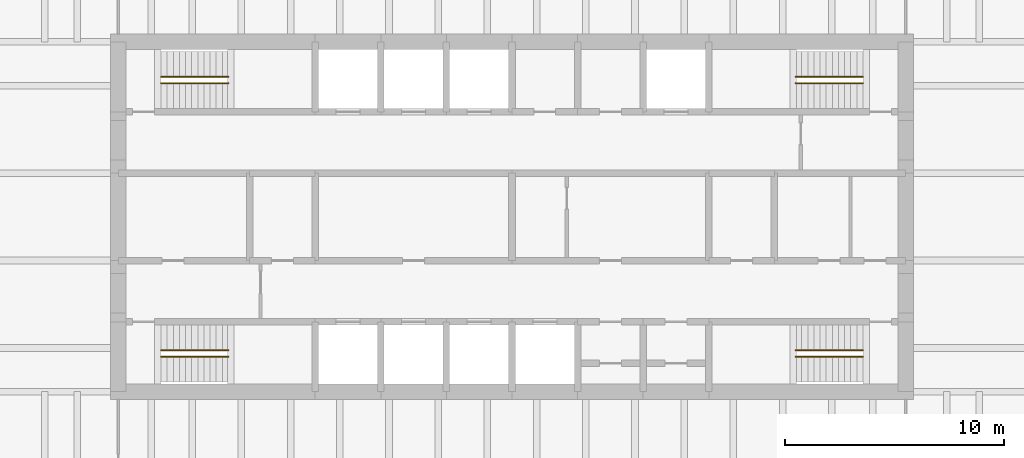
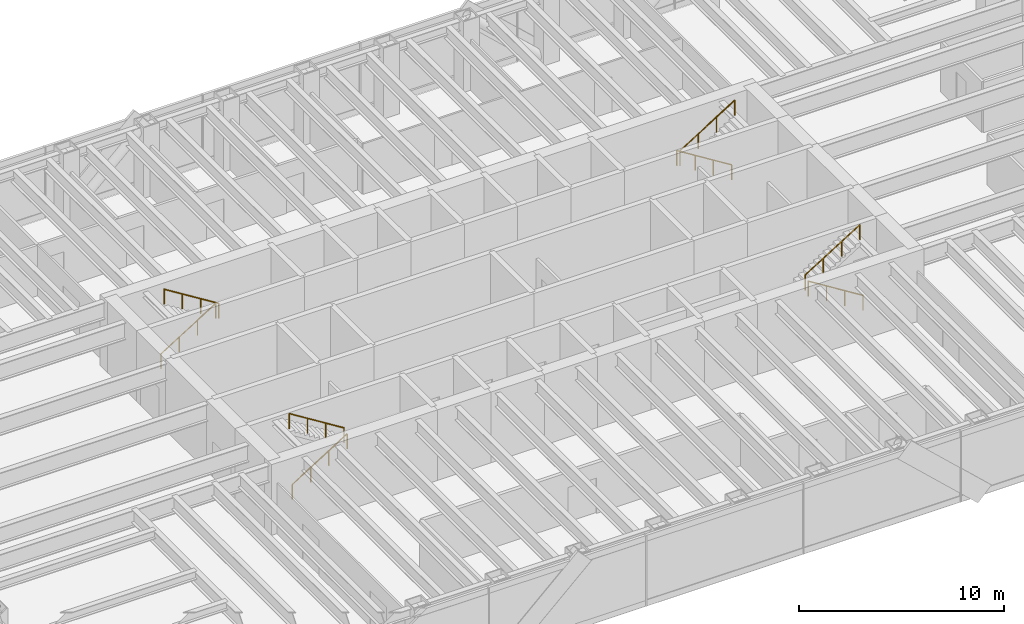
# One storey, part 17 of 17: 8 railings.
"""IFC4 building model written with IfcOpenShell, lengths in metres."""

from ifc_helpers import new_model, si_unit, direction, frame, origin, origin_2d, place, context, subcontext, project, spatial, circle, extrude, material, type_object, element, save


model = new_model("IFC4")

# Units and contexts
model_context = context("Model", 3, precision=1e-05, world=origin(), true_north=direction((0.0, 1.0)))
body_context = subcontext(model_context, "Body", "Model", "MODEL_VIEW")
ifc_project = project(units=[si_unit("LENGTHUNIT", "METRE"), si_unit("AREAUNIT", "SQUARE_METRE"), si_unit("VOLUMEUNIT", "CUBIC_METRE"), si_unit("PLANEANGLEUNIT", "RADIAN"), si_unit("MASSUNIT", "GRAM", prefix="KILO")], contexts=[model_context])

# Site, building, storey
site_placement = place(None, origin())
site = spatial("IfcSite", under=ifc_project, at=site_placement, CompositionType="ELEMENT")
building_placement = place(site_placement, origin())
building = spatial("IfcBuilding", under=site, at=building_placement, Name="Rheinbord Bourse Tower", CompositionType="ELEMENT")
storey_placement = place(building_placement, frame((0.0, 0.0, 321.5)))
storey = spatial("IfcBuildingStorey", under=building, at=storey_placement, Name="L73", CompositionType="ELEMENT", Elevation=321.5)

# Railings
ifc_material = material(Name="Steel handrail", Category="steel")
railing_type = type_object("IfcRailingType", Name="HANDRAIL 900", PredefinedType="HANDRAIL", material=ifc_material)
railing_1_placement = place(storey_placement, frame((19.949951171875, 17.60009765625, 0.175048828125)))
element("IfcRailing", 1, at=railing_1_placement, inside=storey, type_object=railing_type, Name="Handrail", PredefinedType="HANDRAIL", context=body_context, shape_type="SweptSolid", body=[
    extrude(circle(Radius=0.02392578125, at=origin_2d()), frame((0.0, 0.0, 0.8759765625), z_axis=(0.847998304005, 0.0, 0.529998940003), x_axis=(0.0, 1.0, 0.0)), (0.0, 0.0, 1.0), 3.632080078125),
    extrude(circle(Radius=0.02099609375, at=origin_2d()), origin(), (0.0, 0.0, 1.0), 0.851806640625),
    extrude(circle(Radius=0.02099609375, at=origin_2d()), frame((1.026611328125, 0.0, 0.6416015625)), (0.0, 0.0, 1.0), 0.851806640625),
    extrude(circle(Radius=0.02099609375, at=origin_2d()), frame((2.053466796875, 0.0, 1.283447265625)), (0.0, 0.0, 1.0), 0.851806640625),
    extrude(circle(Radius=0.02099609375, at=origin_2d()), frame((3.080078125, 0.0, 1.925048828125)), (0.0, 0.0, 1.0), 0.851806640625),
])
railing_2_placement = place(storey_placement, frame((23.030029296875, 17.89990234375, 2.27490234375)))
element("IfcRailing", 2, at=railing_2_placement, inside=storey, type_object=railing_type, Name="Handrail", PredefinedType="HANDRAIL", context=body_context, shape_type="SweptSolid", body=[
    extrude(circle(Radius=0.02392578125, at=origin_2d()), frame((0.0, 0.0, 0.8759765625), z_axis=(-0.847998304005, 0.0, 0.529998940003), x_axis=(0.0, -1.0, 0.0)), (0.0, 0.0, 1.0), 3.632080078125),
    extrude(circle(Radius=0.02099609375, at=origin_2d()), origin(), (0.0, 0.0, 1.0), 0.851806640625),
    extrude(circle(Radius=0.02099609375, at=origin_2d()), frame((-1.026611328125, 0.0, 0.6416015625)), (0.0, 0.0, 1.0), 0.851806640625),
    extrude(circle(Radius=0.02099609375, at=origin_2d()), frame((-2.053466796875, 0.0, 1.283447265625)), (0.0, 0.0, 1.0), 0.851806640625),
    extrude(circle(Radius=0.02099609375, at=origin_2d()), frame((-3.080078125, 0.0, 1.925048828125)), (0.0, 0.0, 1.0), 0.851806640625),
])
railing_3_placement = place(storey_placement, frame((19.949951171875, 30.39990234375, 0.175048828125)))
element("IfcRailing", 3, at=railing_3_placement, inside=storey, type_object=railing_type, Name="Handrail", PredefinedType="HANDRAIL", context=body_context, shape_type="SweptSolid", body=[
    extrude(circle(Radius=0.02392578125, at=origin_2d()), frame((0.0, 0.0, 0.8759765625), z_axis=(0.847998304005, 0.0, 0.529998940003), x_axis=(0.0, 1.0, 0.0)), (0.0, 0.0, 1.0), 3.632080078125),
    extrude(circle(Radius=0.02099609375, at=origin_2d()), origin(), (0.0, 0.0, 1.0), 0.851806640625),
    extrude(circle(Radius=0.02099609375, at=origin_2d()), frame((1.026611328125, 0.0, 0.6416015625)), (0.0, 0.0, 1.0), 0.851806640625),
    extrude(circle(Radius=0.02099609375, at=origin_2d()), frame((2.053466796875, 0.0, 1.283447265625)), (0.0, 0.0, 1.0), 0.851806640625),
    extrude(circle(Radius=0.02099609375, at=origin_2d()), frame((3.080078125, 0.0, 1.925048828125)), (0.0, 0.0, 1.0), 0.851806640625),
])
for number, where, name in (
    (4, (23.030029296875, 30.10009765625, 2.27490234375), "Handrail"),
    (5, (52.050048828125, 17.60009765625, 0.175048828125), "Handrail"),
):
    element("IfcRailing", number, at=place(storey_placement, frame(where)), inside=storey, type_object=railing_type, Name=name, PredefinedType="HANDRAIL", context=body_context, shape_type="SweptSolid", body=[
        extrude(circle(Radius=0.02392578125, at=origin_2d()), frame((0.0, 0.0, 0.8759765625), z_axis=(-0.847998304005, 0.0, 0.529998940003), x_axis=(0.0, -1.0, 0.0)), (0.0, 0.0, 1.0), 3.632080078125),
        extrude(circle(Radius=0.02099609375, at=origin_2d()), origin(), (0.0, 0.0, 1.0), 0.851806640625),
        extrude(circle(Radius=0.02099609375, at=origin_2d()), frame((-1.026611328125, 0.0, 0.6416015625)), (0.0, 0.0, 1.0), 0.851806640625),
        extrude(circle(Radius=0.02099609375, at=origin_2d()), frame((-2.053466796875, 0.0, 1.283447265625)), (0.0, 0.0, 1.0), 0.851806640625),
        extrude(circle(Radius=0.02099609375, at=origin_2d()), frame((-3.080078125, 0.0, 1.925048828125)), (0.0, 0.0, 1.0), 0.851806640625),
    ])
railing_4_placement = place(storey_placement, frame((48.969970703125, 17.89990234375, 2.27490234375)))
element("IfcRailing", 6, at=railing_4_placement, inside=storey, type_object=railing_type, Name="Handrail", PredefinedType="HANDRAIL", context=body_context, shape_type="SweptSolid", body=[
    extrude(circle(Radius=0.02392578125, at=origin_2d()), frame((0.0, 0.0, 0.8759765625), z_axis=(0.847998304005, 0.0, 0.529998940003), x_axis=(0.0, 1.0, 0.0)), (0.0, 0.0, 1.0), 3.632080078125),
    extrude(circle(Radius=0.02099609375, at=origin_2d()), origin(), (0.0, 0.0, 1.0), 0.851806640625),
    extrude(circle(Radius=0.02099609375, at=origin_2d()), frame((1.026611328125, 0.0, 0.6416015625)), (0.0, 0.0, 1.0), 0.851806640625),
    extrude(circle(Radius=0.02099609375, at=origin_2d()), frame((2.053466796875, 0.0, 1.283447265625)), (0.0, 0.0, 1.0), 0.851806640625),
    extrude(circle(Radius=0.02099609375, at=origin_2d()), frame((3.080078125, 0.0, 1.925048828125)), (0.0, 0.0, 1.0), 0.851806640625),
])
railing_5_placement = place(storey_placement, frame((52.050048828125, 30.39990234375, 0.175048828125)))
element("IfcRailing", 7, at=railing_5_placement, inside=storey, type_object=railing_type, Name="Handrail", PredefinedType="HANDRAIL", context=body_context, shape_type="SweptSolid", body=[
    extrude(circle(Radius=0.02392578125, at=origin_2d()), frame((0.0, 0.0, 0.8759765625), z_axis=(-0.847998304005, 0.0, 0.529998940003), x_axis=(0.0, -1.0, 0.0)), (0.0, 0.0, 1.0), 3.632080078125),
    extrude(circle(Radius=0.02099609375, at=origin_2d()), origin(), (0.0, 0.0, 1.0), 0.851806640625),
    extrude(circle(Radius=0.02099609375, at=origin_2d()), frame((-1.026611328125, 0.0, 0.6416015625)), (0.0, 0.0, 1.0), 0.851806640625),
    extrude(circle(Radius=0.02099609375, at=origin_2d()), frame((-2.053466796875, 0.0, 1.283447265625)), (0.0, 0.0, 1.0), 0.851806640625),
    extrude(circle(Radius=0.02099609375, at=origin_2d()), frame((-3.080078125, 0.0, 1.925048828125)), (0.0, 0.0, 1.0), 0.851806640625),
])
railing_6_placement = place(storey_placement, frame((48.969970703125, 30.10009765625, 2.27490234375)))
element("IfcRailing", 8, at=railing_6_placement, inside=storey, type_object=railing_type, Name="Handrail", PredefinedType="HANDRAIL", context=body_context, shape_type="SweptSolid", body=[
    extrude(circle(Radius=0.02392578125, at=origin_2d()), frame((0.0, 0.0, 0.8759765625), z_axis=(0.847998304005, 0.0, 0.529998940003), x_axis=(0.0, 1.0, 0.0)), (0.0, 0.0, 1.0), 3.632080078125),
    extrude(circle(Radius=0.02099609375, at=origin_2d()), origin(), (0.0, 0.0, 1.0), 0.851806640625),
    extrude(circle(Radius=0.02099609375, at=origin_2d()), frame((1.026611328125, 0.0, 0.6416015625)), (0.0, 0.0, 1.0), 0.851806640625),
    extrude(circle(Radius=0.02099609375, at=origin_2d()), frame((2.053466796875, 0.0, 1.283447265625)), (0.0, 0.0, 1.0), 0.851806640625),
    extrude(circle(Radius=0.02099609375, at=origin_2d()), frame((3.080078125, 0.0, 1.925048828125)), (0.0, 0.0, 1.0), 0.851806640625),
])

save(model, "model.ifc")
